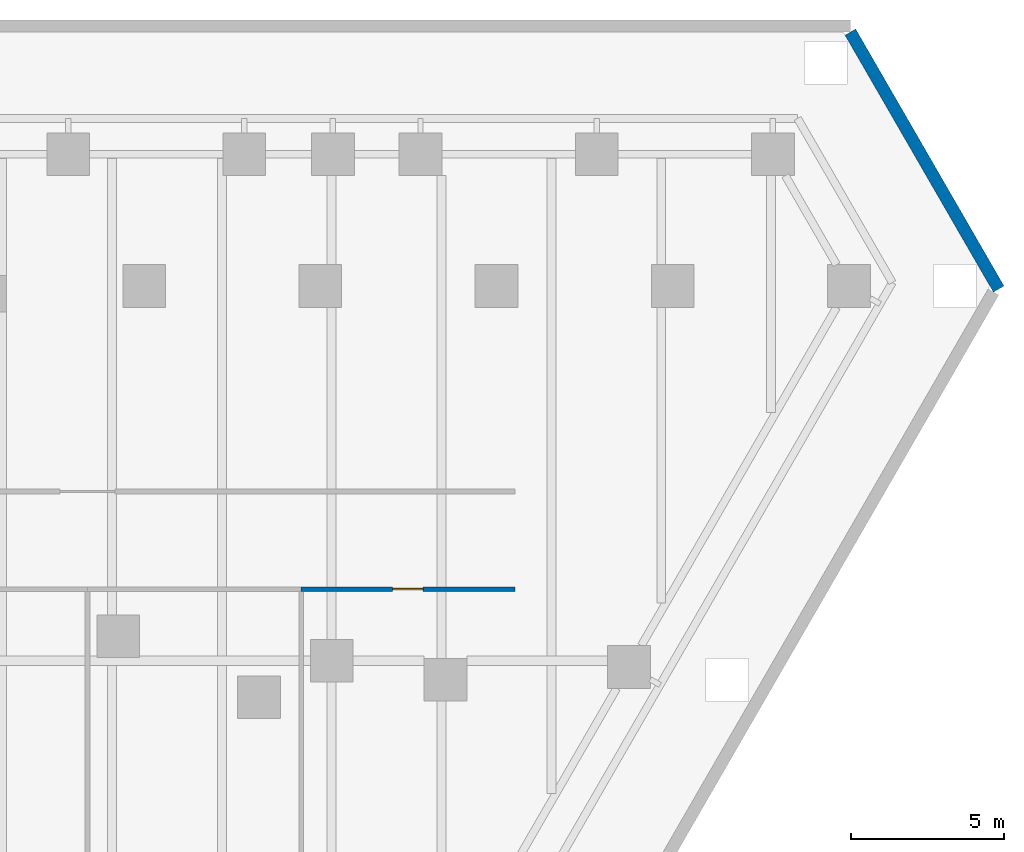
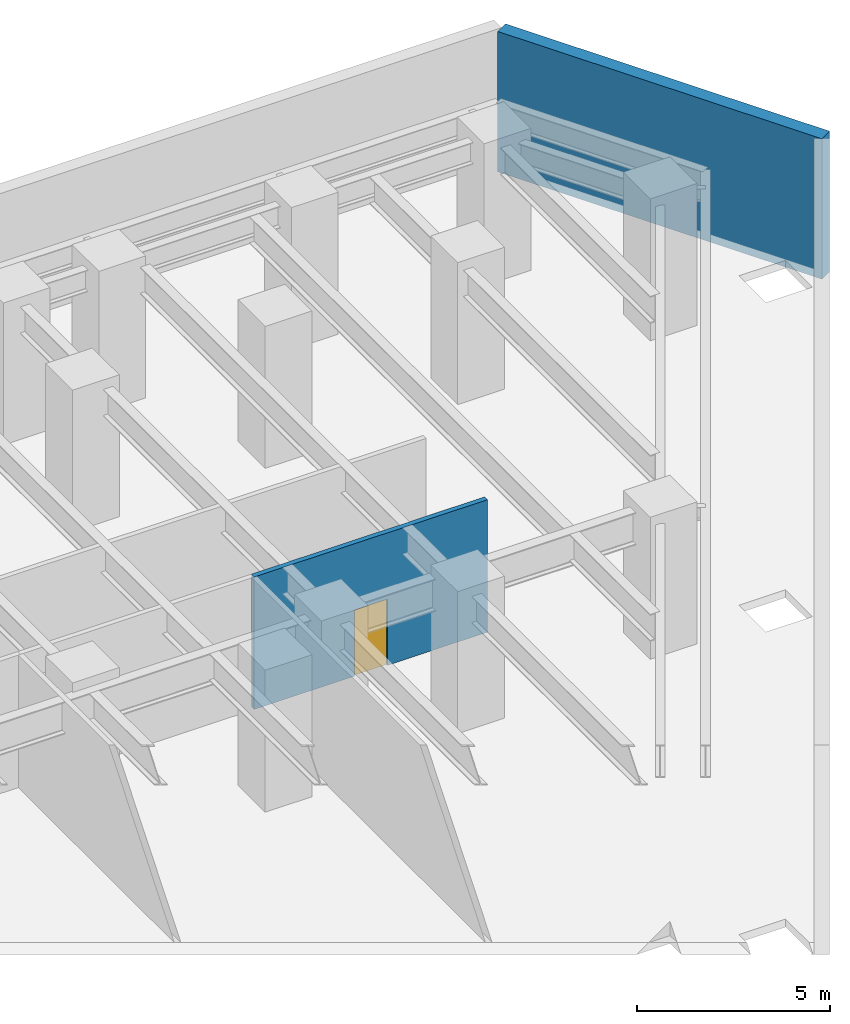
# One storey, part 17 of 20: 2 walls, 1 door, 1 opening.
"""IFC4 building model written with IfcOpenShell, lengths in metres."""

import ifcopenshell
import ifcopenshell.guid

model = None  # the IFC model being written
_history = None  # IfcOwnerHistory: only IFC2X3 demands one
_inside = {}  # id of a spatial element -> (the spatial element, [elements in it])
_under = {}  # id of a project, library or spatial element -> (it, [spatial elements below it])
_declared = {}  # id of a project -> (the project, [libraries it declares])
_typed = {}  # id of a type object -> (the type object, [elements of that type])
_made_of = {}  # id of a material, layer set ... -> (it, [elements and type objects made of it])


def new_model(schema):
    """Start an empty IFC model of exactly this schema.

    Asked for "IFC4X3", IfcOpenShell would pick the latest addendum, in which some entities
    have other attributes; the version numbers below select the first issue.
    IFC2X3 requires an IfcOwnerHistory on every rooted entity: one is made here for all.
    """
    global model, _history
    if schema == "IFC4X3":
        model = ifcopenshell.file(schema_version=(4, 3, 0, 0))
    else:
        model = ifcopenshell.file(schema=schema)
    _inside.clear()
    _under.clear()
    _declared.clear()
    _typed.clear()
    _made_of.clear()
    _history = None
    if model.schema == "IFC2X3":
        org = make("IfcOrganization", Name="unknown")
        user = make(
            "IfcPersonAndOrganization",
            ThePerson=make("IfcPerson", FamilyName="unknown"),
            TheOrganization=org,
        )
        app = make(
            "IfcApplication",
            ApplicationDeveloper=org,
            Version="unknown",
            ApplicationFullName="unknown",
            ApplicationIdentifier="unknown",
        )
        _history = make(
            "IfcOwnerHistory",
            OwningUser=user,
            OwningApplication=app,
            ChangeAction="ADDED",
            CreationDate=0,
        )
    return model


def make(cls, **values):
    """One entity of the class cls with the attributes given. An attribute that is None is left unset."""
    return model.create_entity(
        cls, **{name: value for name, value in values.items() if value is not None}
    )


def rooted(cls, **values):
    """An entity with a GlobalId (a new one), such as an element, a storey or a relation."""
    return make(cls, GlobalId=ifcopenshell.guid.new(), OwnerHistory=_history, **values)


def si_unit(unit_type, name, prefix=None):
    """IfcSIUnit, for example si_unit("LENGTHUNIT", "METRE", prefix="MILLI")."""
    return make("IfcSIUnit", UnitType=unit_type, Prefix=prefix, Name=name)


def assignment(units):
    """IfcUnitAssignment: the units of a project."""
    return None if units is None else make("IfcUnitAssignment", Units=units)


def point(xyz):
    """IfcCartesianPoint."""
    return None if xyz is None else make("IfcCartesianPoint", Coordinates=xyz)


def direction(xyz):
    """IfcDirection."""
    return None if xyz is None else make("IfcDirection", DirectionRatios=xyz)


def frame(location, z_axis=None, x_axis=None):
    """IfcAxis2Placement3D, a coordinate frame: its origin and axes. An axis left out is left unset."""
    return make(
        "IfcAxis2Placement3D",
        Location=point(location),
        Axis=direction(z_axis),
        RefDirection=direction(x_axis),
    )


def frame_2d(location, x_axis=None):
    """IfcAxis2Placement2D, a coordinate frame in the plane: its origin and x axis."""
    return make(
        "IfcAxis2Placement2D", Location=point(location), RefDirection=direction(x_axis)
    )


def origin():
    """The frame at (0, 0, 0) with its axes left unset."""
    return frame((0.0, 0.0, 0.0))


def place(relative_to, where):
    """IfcLocalPlacement: puts the frame where relative to a parent placement (None: the world)."""
    return make(
        "IfcLocalPlacement", PlacementRelTo=relative_to, RelativePlacement=where
    )


def context(
    kind, dimensions, precision=None, world=None, true_north=None, identifier=None
):
    """IfcGeometricRepresentationContext, for example the 3D "Model" context."""
    return make(
        "IfcGeometricRepresentationContext",
        ContextIdentifier=identifier,
        ContextType=kind,
        CoordinateSpaceDimension=dimensions,
        Precision=precision,
        WorldCoordinateSystem=world,
        TrueNorth=true_north,
    )


def subcontext(parent, identifier, kind, view, scale=None):
    """IfcGeometricRepresentationSubContext, for example "Body" below "Model"."""
    return make(
        "IfcGeometricRepresentationSubContext",
        ContextIdentifier=identifier,
        ContextType=kind,
        ParentContext=parent,
        TargetScale=scale,
        TargetView=view,
    )


def project(units=None, contexts=None):
    """IfcProject with its units and contexts."""
    return rooted(
        "IfcProject",
        Name="project",
        RepresentationContexts=contexts,
        UnitsInContext=assignment(units),
    )


def spatial(cls, under=None, at=None, **own):
    """A site, building, storey or space (cls), placed at a placement, below another one or the project."""
    s = rooted(cls, ObjectPlacement=at, **own)
    if under is not None:
        _under.setdefault(under.id(), (under, []))[1].append(s)
    return s


def profile(cls, at=None, kind="AREA", **sizes):
    """A parametric profile (cls). Its sizes go by their IFC names, for example OverallWidth=200.0."""
    return make(cls, ProfileType=kind, Position=at, **sizes)


def rectangle(**sizes):
    """IfcRectangleProfileDef."""
    return profile("IfcRectangleProfileDef", **sizes)


def extrude(swept, where, along, depth):
    """IfcExtrudedAreaSolid: the profile swept, set in the frame where, extruded along a direction by depth."""
    return make(
        "IfcExtrudedAreaSolid",
        SweptArea=swept,
        Position=where,
        ExtrudedDirection=direction(along),
        Depth=depth,
    )


def shape(context_of_items, identifier, shape_type, items):
    """IfcShapeRepresentation: the items that make up one representation, for example the "Body"."""
    return make(
        "IfcShapeRepresentation",
        ContextOfItems=context_of_items,
        RepresentationIdentifier=identifier,
        RepresentationType=shape_type,
        Items=items,
    )


def material(Name=None, Category=None):
    """IfcMaterial."""
    return make("IfcMaterial", Name=Name, Category=Category)


def layer(
    of_material, thickness, ventilated=None, Name=None, Category=None, Priority=None
):
    """IfcMaterialLayer: one layer of a wall or slab, of a material (None: an air gap)."""
    return make(
        "IfcMaterialLayer",
        Material=of_material,
        LayerThickness=thickness,
        IsVentilated=ventilated,
        Name=Name,
        Category=Category,
        Priority=Priority,
    )


def layer_set(layers, Name=None):
    """IfcMaterialLayerSet."""
    return make("IfcMaterialLayerSet", MaterialLayers=layers, LayerSetName=Name)


def made_of(thing, what):
    """Note that an element or type object is made of a material, layer set ...; save() writes the relation."""
    if what is not None:
        _made_of.setdefault(what.id(), (what, []))[1].append(thing)
    return thing


def type_object(cls, material=None, **own):
    """A type object (cls), such as IfcWallType, which elements share."""
    return made_of(rooted(cls, **own), material)


def element(
    cls,
    number,
    at=None,
    inside=None,
    cuts=None,
    type_object=None,
    material=None,
    context=None,
    identifier="Body",
    shape_type=None,
    held_by="IfcProductDefinitionShape",
    body=None,
    shapes=None,
    **own,
):
    """One element of the class cls, such as IfcWall. Its Tag is "e" and its number.

    at: its placement. inside: the storey or other place that contains it. cuts: it is an
    opening in that element (IfcRelVoidsElement). A single representation is given by context,
    identifier, shape_type and body (its items); several are given by shapes. held_by: the class
    of the entity that holds the representations. save() writes the other relations.
    """
    e = rooted(cls, Tag="e%d" % number, ObjectPlacement=at, **own)
    if body is not None:
        shapes = [shape(context, identifier, shape_type, body)]
    if shapes is not None:
        e.Representation = make(held_by, Representations=shapes)
    if inside is not None:
        _inside.setdefault(inside.id(), (inside, []))[1].append(e)
    if cuts is not None:
        rooted(
            "IfcRelVoidsElement", RelatingBuildingElement=cuts, RelatedOpeningElement=e
        )
    if type_object is not None:
        _typed.setdefault(type_object.id(), (type_object, []))[1].append(e)
    return made_of(e, material)


def fill(opening, filler):
    """IfcRelFillsElement: the door or window that sits in an opening."""
    return rooted(
        "IfcRelFillsElement",
        RelatingOpeningElement=opening,
        RelatedBuildingElement=filler,
    )


def aggregate(whole, parts):
    """IfcRelAggregates: a whole, such as a stair, and the parts it consists of."""
    return rooted("IfcRelAggregates", RelatingObject=whole, RelatedObjects=parts)


def save(model, path):
    """Write the relations noted so far, then the file.

    IfcRelAggregates (storeys below a building ...), IfcRelContainedInSpatialStructure (elements
    in a storey), IfcRelDefinesByType, IfcRelAssociatesMaterial and IfcRelDeclares: one each for
    every whole, place, type object, material and project.
    """
    for whole, parts in _under.values():
        aggregate(whole, parts)
    for where, things in _inside.values():
        rooted(
            "IfcRelContainedInSpatialStructure",
            RelatedElements=things,
            RelatingStructure=where,
        )
    for kind, things in _typed.values():
        rooted("IfcRelDefinesByType", RelatedObjects=things, RelatingType=kind)
    for what, things in _made_of.values():
        rooted("IfcRelAssociatesMaterial", RelatedObjects=things, RelatingMaterial=what)
    for by, libraries in _declared.values():
        rooted("IfcRelDeclares", RelatingContext=by, RelatedDefinitions=libraries)
    model.write(path)


model = new_model("IFC4")

# Units and contexts
model_context = context("Model", 3, precision=1e-05, world=origin(), true_north=direction((0.0, 1.0)))
body_context = subcontext(model_context, "Body", "Model", "MODEL_VIEW")
ifc_project = project(units=[si_unit("LENGTHUNIT", "METRE"), si_unit("AREAUNIT", "SQUARE_METRE"), si_unit("VOLUMEUNIT", "CUBIC_METRE"), si_unit("PLANEANGLEUNIT", "RADIAN"), si_unit("MASSUNIT", "GRAM", prefix="KILO")], contexts=[model_context])

# Site, building, storey
site_placement = place(None, origin())
site = spatial("IfcSite", under=ifc_project, at=site_placement, CompositionType="ELEMENT")
building_placement = place(site_placement, origin())
building = spatial("IfcBuilding", under=site, at=building_placement, Name="Aloe Facet Convention Tower", CompositionType="ELEMENT")
storey_placement = place(building_placement, frame((0.0, 0.0, -4.5)))
storey = spatial("IfcBuildingStorey", under=building, at=storey_placement, Name="B1", CompositionType="ELEMENT", Elevation=-4.5)

# Wall, opening, door
ifc_material_1 = material(Name="Gypsum board partition on steel studs, double layer", Category="steel")
ifc_layer_1 = layer(ifc_material_1, 0.14990234375)
ifc_layer_set_1 = layer_set([ifc_layer_1], Name="IN-POD-W-CORR")
wall_type_1 = type_object("IfcWallType", Name="IN-POD-W-CORR", PredefinedType="PARTITIONING", material=ifc_layer_set_1)
wall_1_placement = place(storey_placement, frame((115.0, 119.35009765625, 0.0), z_axis=(0.0, 0.0, 1.0), x_axis=(1.0, 0.0, 0.0)))
wall_1 = element("IfcWall", 1, at=wall_1_placement, inside=storey, type_object=wall_type_1, Name="Partition B1-W060", PredefinedType="PARTITIONING", context=body_context, shape_type="SweptSolid", body=[
    extrude(rectangle(XDim=7.0, YDim=0.14990234375, at=frame_2d((3.5, 0.0))), origin(), (0.0, 0.0, 1.0), 4.199951171875),
])
opening_placement = place(wall_1_placement, frame((3.0, 0.0, 0.0)))
opening = element("IfcOpeningElement", 2, at=opening_placement, cuts=wall_1, Name="Opening B1-013", PredefinedType="OPENING", context=body_context, shape_type="SweptSolid", body=[
    extrude(rectangle(XDim=1.0, YDim=2.10009765625, at=frame_2d((0.5, 1.050048828125))), frame((0.0, 0.0849609375, 0.0), z_axis=(0.0, -1.0, 0.0), x_axis=(1.0, 0.0, 0.0)), (0.0, 0.0, 1.0), 0.169921875),
])
ifc_material_2 = material(Name="Steel flush door, galvanised", Category="steel")
door_type = type_object("IfcDoorType", Name="IN-POD-D-PLANT", OperationType="SINGLE_SWING_LEFT", PredefinedType="DOOR", material=ifc_material_2)
door_placement = place(opening_placement, origin())
door = element("IfcDoor", 3, at=door_placement, inside=storey, type_object=door_type, Name="Door B1-013", OperationType="SINGLE_SWING_LEFT", OverallHeight=2.10009765625, OverallWidth=1.0, PredefinedType="DOOR", context=body_context, shape_type="SweptSolid", body=[
    extrude(rectangle(XDim=1.0, YDim=2.10009765625, at=frame_2d((0.5, 1.050048828125))), frame((0.0, 0.02490234375, 0.0), z_axis=(0.0, -1.0, 0.0), x_axis=(1.0, 0.0, 0.0)), (0.0, 0.0, 1.0), 0.050048828125),
])
fill(opening, door)

# Wall
ifc_material_3 = material(Name="Concrete C40/50", Category="concrete")
ifc_layer_2 = layer(ifc_material_3, 0.39990234375)
ifc_layer_set_2 = layer_set([ifc_layer_2], Name="SF-RW-400")
wall_type_2 = type_object("IfcWallType", Name="SF-RW-400", PredefinedType="SOLIDWALL", material=ifc_layer_set_2)
wall_2_placement = place(storey_placement, frame((132.99658203125, 137.60498046875, -0.25), z_axis=(0.0, 0.0, 1.0), x_axis=(0.500000649954, -0.866025028533, 0.0)))
element("IfcWall", 4, at=wall_2_placement, inside=storey, type_object=wall_type_2, Name="RETAINING WALL B1-06", PredefinedType="SOLIDWALL", context=body_context, shape_type="SweptSolid", body=[
    extrude(rectangle(XDim=9.7236328125, YDim=0.39990234375, at=frame_2d((4.86181640625, 0.0))), origin(), (0.0, 0.0, 1.0), 4.449951171875),
])

save(model, "model.ifc")
